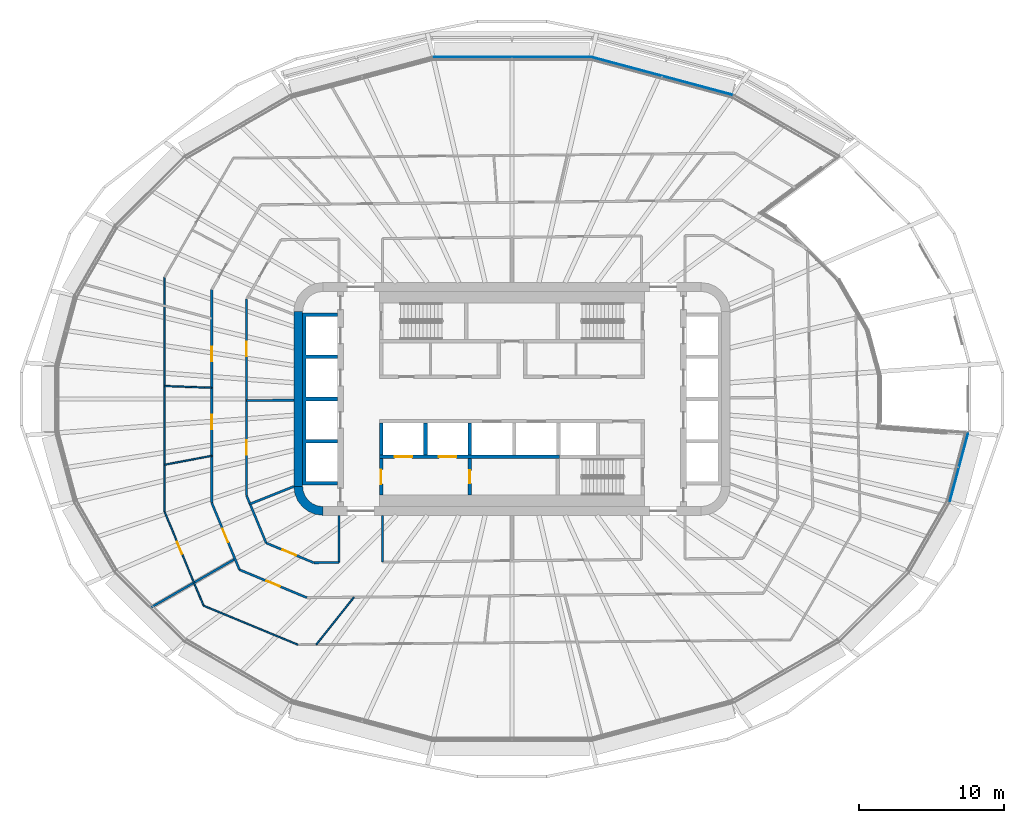
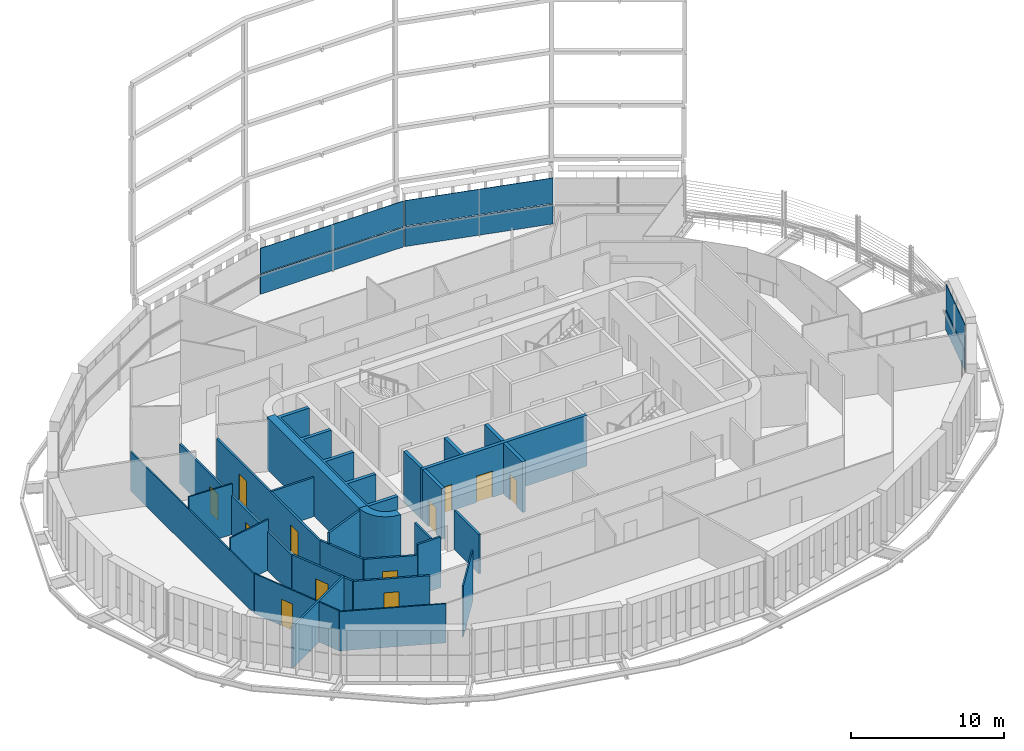
# One storey, part 14 of 28: 27 walls, 12 doors, 6 plates, 12 openings, 3 elements without a shape of their own.
"""IFC4 building model written with IfcOpenShell, lengths in metres."""

from ifc_helpers import new_model, si_unit, direction, frame, frame_2d, origin, place, context, subcontext, project, spatial, polyline, rectangle, outline, extrude, material, layer, layer_set, type_object, element, fill, aggregate, save


model = new_model("IFC4")

# Units and contexts
model_context = context("Model", 3, precision=1e-05, world=origin(), true_north=direction((0.0, 1.0)))
body_context = subcontext(model_context, "Body", "Model", "MODEL_VIEW")
ifc_project = project(units=[si_unit("LENGTHUNIT", "METRE"), si_unit("AREAUNIT", "SQUARE_METRE"), si_unit("VOLUMEUNIT", "CUBIC_METRE"), si_unit("PLANEANGLEUNIT", "RADIAN"), si_unit("MASSUNIT", "GRAM", prefix="KILO")], contexts=[model_context])

# Site, building, storey
site_placement = place(None, origin())
site = spatial("IfcSite", under=ifc_project, at=site_placement, CompositionType="ELEMENT")
building_placement = place(site_placement, origin())
building = spatial("IfcBuilding", under=site, at=building_placement, Name="Sahrelin Media Tower", CompositionType="ELEMENT")
storey_placement = place(building_placement, frame((0.0, 0.0, 75.60009765625)))
storey = spatial("IfcBuildingStorey", under=building, at=storey_placement, Name="L13", CompositionType="ELEMENT", Elevation=75.60009765625)

# Curtain wall, plate
ifc_material_1 = material(Name="Champagne anodised aluminium 6063-T6", Category="aluminium")
ifc_layer_1 = layer(ifc_material_1, 0.14990234375)
ifc_layer_set_1 = layer_set([ifc_layer_1], Name="Tower ribbon curtain wall")
curtain_wall_type = type_object("IfcCurtainWallType", Name="Tower ribbon curtain wall", PredefinedType="NOTDEFINED", material=ifc_layer_set_1)
curtain_wall_1_placement = place(storey_placement, frame((10.326416015625, 22.214111328125, 0.0), z_axis=(0.0, 0.0, 1.0), x_axis=(1.0, 0.0, 0.0)))
curtain_wall_1 = element("IfcCurtainWall", 1, at=curtain_wall_1_placement, inside=storey, type_object=curtain_wall_type, Name="L13:CW:L13-05", PredefinedType="NOTDEFINED")
ifc_material_2 = material(Name="Clear low-iron glazing", Category="glass")
ifc_layer_2 = layer(ifc_material_2, 0.0400390625)
ifc_layer_set_2 = layer_set([ifc_layer_2], Name="Glazing panel 40 mm CW1")
plate_type_1 = type_object("IfcPlateType", Name="Glazing panel 40 mm CW1", PredefinedType="CURTAIN_PANEL", material=ifc_layer_set_2)
plate_1_placement = place(storey_placement, frame((15.173583984375, 20.93603515625, 1.6298828125), z_axis=(0.258820481807, 0.965925441324, 0.0), x_axis=(-0.965925441324, 0.258820481807, 0.0)))
plate_1 = element("IfcPlate", 2, at=plate_1_placement, type_object=plate_type_1, Name="L13:CWP2:L13-05", PredefinedType="CURTAIN_PANEL", context=body_context, shape_type="SweptSolid", body=[
    extrude(outline(polyline([(0.0, 0.0), (10.025146484375, 0.0), (10.025146484375, 2.0185546875), (0.0, 2.0185546875), (0.0, 0.0)])), origin(), (0.0, 0.0, -1.0), 0.0400390625),
])

curtain_wall_2_placement = place(storey_placement, frame((0.0, 23.5244140625, 0.0), z_axis=(0.0, 0.0, 1.0), x_axis=(1.0, 0.0, 0.0)))
curtain_wall_2 = element("IfcCurtainWall", 3, at=curtain_wall_2_placement, inside=storey, type_object=curtain_wall_type, Name="L13:CW:L13-06", PredefinedType="NOTDEFINED")
plate_2_placement = place(storey_placement, frame((5.386474609375, 23.54443359375, 1.6298828125), z_axis=(0.0, 1.0, 0.0), x_axis=(-1.0, 0.0, 0.0)))
plate_2 = element("IfcPlate", 4, at=plate_2_placement, type_object=plate_type_1, Name="L13:CWP2:L13-06", PredefinedType="CURTAIN_PANEL", context=body_context, shape_type="SweptSolid", body=[
    extrude(outline(polyline([(0.0, 0.0), (10.77294921875, 0.0), (10.77294921875, 2.0185546875), (0.0, 2.0185546875), (0.0, 0.0)])), origin(), (0.0, 0.0, -1.0), 0.0400390625),
])

curtain_wall_3_placement = place(storey_placement, frame((30.737548828125, -4.7041015625, 0.0), z_axis=(0.0, 0.0, 1.0), x_axis=(1.0, 0.0, 0.0)))
curtain_wall_3 = element("IfcCurtainWall", 5, at=curtain_wall_3_placement, inside=storey, type_object=curtain_wall_type, Name="L13:CW:L13-23", PredefinedType="NOTDEFINED")
plate_3_placement = place(storey_placement, frame((30.136474609375, -7.02490234375, 1.6298828125), z_axis=(0.965925777667, -0.258819226562, 0.0), x_axis=(0.258819226562, 0.965925777667, 0.0)))
plate_3 = element("IfcPlate", 6, at=plate_3_placement, type_object=plate_type_1, Name="L13:CWP2:L13-23", PredefinedType="CURTAIN_PANEL", context=body_context, shape_type="SweptSolid", body=[
    extrude(outline(polyline([(0.0, 0.0), (4.794677734375, 0.0), (4.794677734375, 2.0185546875), (0.0, 2.0185546875), (0.0, 0.0)])), origin(), (0.0, 0.0, -1.0), 0.0400390625),
])

# Plate
ifc_material_3 = material(Name="Insulated spandrel panel")
ifc_layer_3 = layer(ifc_material_3, 0.06005859375)
ifc_layer_set_3 = layer_set([ifc_layer_3], Name="Spandrel panel 60 mm CW1")
plate_type_2 = type_object("IfcPlateType", Name="Spandrel panel 60 mm CW1", PredefinedType="SHEET", material=ifc_layer_set_3)
plate_4_placement = place(storey_placement, frame((15.173583984375, 20.93603515625, 0.0), z_axis=(0.258820481807, 0.965925441324, 0.0), x_axis=(-0.965925441324, 0.258820481807, 0.0)))
plate_4 = element("IfcPlate", 7, at=plate_4_placement, type_object=plate_type_2, Name="L13:CWP1:L13-05", PredefinedType="SHEET", context=body_context, shape_type="SweptSolid", body=[
    extrude(outline(polyline([(0.0, 0.0), (10.025146484375, 0.0), (10.025146484375, 1.56982421875), (0.0, 1.56982421875), (0.0, 0.0)])), origin(), (0.0, 0.0, -1.0), 0.06005859375),
])

aggregate(curtain_wall_1, [plate_4, plate_1])

plate_5_placement = place(storey_placement, frame((5.386474609375, 23.54443359375, 0.0), z_axis=(0.0, 1.0, 0.0), x_axis=(-1.0, 0.0, 0.0)))
plate_5 = element("IfcPlate", 8, at=plate_5_placement, type_object=plate_type_2, Name="L13:CWP1:L13-06", PredefinedType="SHEET", context=body_context, shape_type="SweptSolid", body=[
    extrude(outline(polyline([(0.0, 0.0), (10.77294921875, 0.0), (10.77294921875, 1.56982421875), (0.0, 1.56982421875), (0.0, 0.0)])), origin(), (0.0, 0.0, -1.0), 0.06005859375),
])

aggregate(curtain_wall_2, [plate_5, plate_2])

plate_6_placement = place(storey_placement, frame((30.136474609375, -7.02490234375, 0.0), z_axis=(0.965925777667, -0.258819226562, 0.0), x_axis=(0.258819226562, 0.965925777667, 0.0)))
plate_6 = element("IfcPlate", 9, at=plate_6_placement, type_object=plate_type_2, Name="L13:CWP1:L13-23", PredefinedType="SHEET", context=body_context, shape_type="SweptSolid", body=[
    extrude(outline(polyline([(0.0, 0.0), (4.794677734375, 0.0), (4.794677734375, 1.56982421875), (0.0, 1.56982421875), (0.0, 0.0)])), origin(), (0.0, 0.0, -1.0), 0.06005859375),
])

aggregate(curtain_wall_3, [plate_6, plate_3])

# Walls
ifc_material_4 = material(Name="Concrete C60/75", Category="concrete")
ifc_layer_4 = layer(ifc_material_4, 0.60009765625)
ifc_layer_set_4 = layer_set([ifc_layer_4], Name="Core wall 600")
wall_type_1 = type_object("IfcWallType", Name="Core wall 600", PredefinedType="SHEAR", material=ifc_layer_set_4)
wall_1_placement = place(storey_placement, frame((-14.699951171875, -6.0, 0.0), z_axis=(0.0, 0.0, 1.0), x_axis=(0.0, 1.0, 0.0)))
element("IfcWall", 10, at=wall_1_placement, inside=storey, type_object=wall_type_1, Name="Core wall W L13", PredefinedType="SHEAR", context=body_context, shape_type="SweptSolid", body=[
    extrude(rectangle(XDim=12.0, YDim=0.60009765625, at=frame_2d((6.0, 0.0))), origin(), (0.0, 0.0, 1.0), 4.199951171875),
])
placement = place(storey_placement, origin())
element("IfcWall", 11, at=placement, inside=storey, type_object=wall_type_1, Name="Core wall corner SW L13", PredefinedType="SHEAR", context=body_context, shape_type="SweptSolid", body=[
    extrude(outline(polyline([(-13.0, -8.0), (-13.0, -7.394775390625), (-13.361083984375, -7.347412109375), (-13.697509765625, -7.2080078125), (-13.986328125, -6.986328125), (-14.2080078125, -6.697509765625), (-14.347412109375, -6.361083984375), (-14.394775390625, -6.0), (-15.0, -6.0), (-14.931884765625, -6.517578125), (-14.732177734375, -7.0), (-14.414306640625, -7.414306640625), (-14.0, -7.732177734375), (-13.517578125, -7.931884765625), (-13.0, -8.0)])), origin(), (0.0, 0.0, 1.0), 4.199951171875),
])

# Wall, opening, door
ifc_material_5 = material(Name="Fire-rated gypsum board partition")
ifc_layer_5 = layer(ifc_material_5, 0.14990234375)
ifc_layer_set_5 = layer_set([ifc_layer_5], Name="Fire-rated partition 150")
wall_type_2 = type_object("IfcWallType", Name="Fire-rated partition 150", PredefinedType="PARTITIONING", material=ifc_layer_set_5)
wall_3_placement = place(storey_placement, frame((-20.64990234375, -7.1240234375, 0.0), z_axis=(0.0, 0.0, 1.0), x_axis=(0.382941772901, -0.923772482036, 0.0)))
wall_3 = element("IfcWall", 12, at=wall_3_placement, inside=storey, type_object=wall_type_2, Name="Wall", PredefinedType="PARTITIONING", context=body_context, shape_type="SweptSolid", body=[
    extrude(rectangle(XDim=4.994384765625, YDim=0.14990234375, at=frame_2d((2.4970703125, 0.0))), origin(), (0.0, 0.0, 1.0), 3.195068359375),
])
opening_1_placement = place(wall_3_placement, frame((1.950439453125, 0.0, 0.0)))
opening_1 = element("IfcOpeningElement", 13, at=opening_1_placement, cuts=wall_3, Name="Opening L13-D53", PredefinedType="OPENING", context=body_context, shape_type="SweptSolid", body=[
    extrude(rectangle(XDim=1.0, YDim=2.10009765625, at=frame_2d((0.5, 1.050048828125))), frame((0.0, 0.074951171875, 0.0), z_axis=(0.0, -1.0, 0.0), x_axis=(1.0, 0.0, 0.0)), (0.0, 0.0, 1.0), 0.14990234375),
])
ifc_material_6 = material(Name="Steel fire door leaf", Category="steel")
door_type_1 = type_object("IfcDoorType", Name="Fire door 1000 x 2100 EI 60", OperationType="NOTDEFINED", PredefinedType="DOOR", material=ifc_material_6)
door_1_placement = place(opening_1_placement, origin())
door_1 = element("IfcDoor", 14, at=door_1_placement, inside=storey, type_object=door_type_1, Name="Fire door", OperationType="SINGLE_SWING_RIGHT", OverallHeight=2.10009765625, OverallWidth=1.0, PredefinedType="DOOR", context=body_context, shape_type="SweptSolid", body=[
    extrude(rectangle(XDim=1.0, YDim=2.10009765625, at=frame_2d((0.5, 1.050048828125))), frame((0.0, 0.02490234375, 0.0), z_axis=(0.0, -1.0, 0.0), x_axis=(1.0, 0.0, 0.0)), (0.0, 0.0, 1.0), 0.050048828125),
])
fill(opening_1, door_1)

# Wall
wall_4_placement = place(storey_placement, frame((-18.25, -6.64697265625, 0.0), z_axis=(0.0, 0.0, 1.0), x_axis=(0.383000597973, -0.923748094424, 0.0)))
element("IfcWall", 15, at=wall_4_placement, inside=storey, type_object=wall_type_2, Name="Wall", PredefinedType="PARTITIONING", context=body_context, shape_type="SweptSolid", body=[
    extrude(rectangle(XDim=3.5224609375, YDim=0.14990234375, at=frame_2d((1.76123046875, 0.0))), origin(), (0.0, 0.0, 1.0), 3.195068359375),
])

# Wall, opening, door
wall_5_placement = place(storey_placement, frame((-18.738037109375, -11.738037109375, 0.0), z_axis=(0.0, 0.0, 1.0), x_axis=(0.923848598814, -0.38275810438, 0.0)))
wall_5 = element("IfcWall", 16, at=wall_5_placement, inside=storey, type_object=wall_type_2, Name="Wall", PredefinedType="PARTITIONING", context=body_context, shape_type="SweptSolid", body=[
    extrude(rectangle(XDim=5.023681640625, YDim=0.14990234375, at=frame_2d((2.51171875, 0.0))), origin(), (0.0, 0.0, 1.0), 3.195068359375),
])
opening_2_placement = place(wall_5_placement, frame((2.01171875, 0.0, 0.0)))
opening_2 = element("IfcOpeningElement", 17, at=opening_2_placement, cuts=wall_5, Name="Opening L13-D32", PredefinedType="OPENING", context=body_context, shape_type="SweptSolid", body=[
    extrude(rectangle(XDim=1.0, YDim=2.10009765625, at=frame_2d((0.5, 1.050048828125))), frame((0.0, 0.074951171875, 0.0), z_axis=(0.0, -1.0, 0.0), x_axis=(1.0, 0.0, 0.0)), (0.0, 0.0, 1.0), 0.14990234375),
])
door_2_placement = place(opening_2_placement, origin())
door_2 = element("IfcDoor", 18, at=door_2_placement, inside=storey, type_object=door_type_1, Name="Fire door", OperationType="SINGLE_SWING_RIGHT", OverallHeight=2.10009765625, OverallWidth=1.0, PredefinedType="DOOR", context=body_context, shape_type="SweptSolid", body=[
    extrude(rectangle(XDim=1.0, YDim=2.10009765625, at=frame_2d((0.5, 1.050048828125))), frame((0.0, 0.02490234375, 0.0), z_axis=(0.0, -1.0, 0.0), x_axis=(1.0, 0.0, 0.0)), (0.0, 0.0, 1.0), 0.050048828125),
])
fill(opening_2, door_2)

wall_6_placement = place(storey_placement, frame((-16.90087890625, -9.90087890625, 0.0), z_axis=(0.0, 0.0, 1.0), x_axis=(0.923795674736, -0.382885820239, 0.0)))
wall_6 = element("IfcWall", 19, at=wall_6_placement, inside=storey, type_object=wall_type_2, Name="Wall", PredefinedType="PARTITIONING", context=body_context, shape_type="SweptSolid", body=[
    extrude(rectangle(XDim=3.53955078125, YDim=0.14990234375, at=frame_2d((1.769775390625, 0.0))), origin(), (0.0, 0.0, 1.0), 3.195068359375),
])
opening_3_placement = place(wall_6_placement, frame((1.218505859375, 0.0, 0.0)))
opening_3 = element("IfcOpeningElement", 20, at=opening_3_placement, cuts=wall_6, Name="Opening L13-D31", PredefinedType="OPENING", context=body_context, shape_type="SweptSolid", body=[
    extrude(rectangle(XDim=1.0, YDim=2.10009765625, at=frame_2d((0.5, 1.050048828125))), frame((0.0, 0.074951171875, 0.0), z_axis=(0.0, -1.0, 0.0), x_axis=(1.0, 0.0, 0.0)), (0.0, 0.0, 1.0), 0.14990234375),
])
door_3_placement = place(opening_3_placement, origin())
door_3 = element("IfcDoor", 21, at=door_3_placement, inside=storey, type_object=door_type_1, Name="Fire door", OperationType="SINGLE_SWING_RIGHT", OverallHeight=2.10009765625, OverallWidth=1.0, PredefinedType="DOOR", context=body_context, shape_type="SweptSolid", body=[
    extrude(rectangle(XDim=1.0, YDim=2.10009765625, at=frame_2d((0.5, 1.050048828125))), frame((0.0, 0.02490234375, 0.0), z_axis=(0.0, -1.0, 0.0), x_axis=(1.0, 0.0, 0.0)), (0.0, 0.0, 1.0), 0.050048828125),
])
fill(opening_3, door_3)

# Walls
wall_7_placement = place(storey_placement, frame((-18.25, -0.10107421875, 0.0), z_axis=(0.0, 0.0, 1.0), x_axis=(0.999985777013, 0.005333457795, 0.0)))
element("IfcWall", 22, at=wall_7_placement, inside=storey, type_object=wall_type_2, Name="Wall", PredefinedType="PARTITIONING", context=body_context, shape_type="SweptSolid", body=[
    extrude(rectangle(XDim=3.25, YDim=0.14990234375, at=frame_2d((1.625, 0.0))), origin(), (0.0, 0.0, 1.0), 3.1181640625),
])
wall_8_placement = place(storey_placement, frame((-13.631103515625, -11.256103515625, 0.0), z_axis=(0.0, 0.0, 1.0), x_axis=(0.999949876767, 0.010012190276, 0.0)))
element("IfcWall", 23, at=wall_8_placement, inside=storey, type_object=wall_type_2, Name="Wall", PredefinedType="PARTITIONING", context=body_context, shape_type="SweptSolid", body=[
    extrude(rectangle(XDim=1.731201171875, YDim=0.14990234375, at=frame_2d((0.86572265625, 0.0))), origin(), (0.0, 0.0, 1.0), 4.0498046875),
])
wall_9_placement = place(storey_placement, frame((-18.012939453125, -7.218994140625, 0.0), z_axis=(0.0, 0.0, 1.0), x_axis=(0.928305468463, 0.371818446586, 0.0)))
element("IfcWall", 24, at=wall_9_placement, inside=storey, type_object=wall_type_2, Name="Wall", PredefinedType="PARTITIONING", context=body_context, shape_type="SweptSolid", body=[
    extrude(rectangle(XDim=3.2470703125, YDim=0.14990234375, at=frame_2d((1.62353515625, 0.0))), origin(), (0.0, 0.0, 1.0), 4.0498046875),
])
wall_10_placement = place(storey_placement, frame((-24.85888671875, -14.35205078125, 0.0), z_axis=(0.0, 0.0, 1.0), x_axis=(0.866036584562, 0.499980633826, 0.0)))
element("IfcWall", 25, at=wall_10_placement, inside=storey, type_object=wall_type_2, Name="Wall", PredefinedType="PARTITIONING", context=body_context, shape_type="SweptSolid", body=[
    extrude(rectangle(XDim=6.712158203125, YDim=0.14990234375, at=frame_2d((3.35595703125, 0.0))), origin(), (0.0, 0.0, 1.0), 3.27587890625),
])
wall_11_placement = place(storey_placement, frame((-8.89990234375, -11.208984375, 0.0), z_axis=(0.0, 0.0, 1.0), x_axis=(0.0, 1.0, 0.0)))
element("IfcWall", 26, at=wall_11_placement, inside=storey, type_object=wall_type_2, Name="Wall", PredefinedType="PARTITIONING", context=body_context, shape_type="SweptSolid", body=[
    extrude(rectangle(XDim=3.208984375, YDim=0.14990234375, at=frame_2d((1.6044921875, 0.0))), origin(), (0.0, 0.0, 1.0), 3.126953125),
])
wall_12_placement = place(storey_placement, frame((-11.89990234375, -11.239013671875, 0.0), z_axis=(0.0, 0.0, 1.0), x_axis=(0.0, 1.0, 0.0)))
element("IfcWall", 27, at=wall_12_placement, inside=storey, type_object=wall_type_2, Name="Wall", PredefinedType="PARTITIONING", context=body_context, shape_type="SweptSolid", body=[
    extrude(rectangle(XDim=3.239013671875, YDim=0.14990234375, at=frame_2d((1.61962890625, 0.0))), origin(), (0.0, 0.0, 1.0), 3.195068359375),
])

# Wall, openings, doors
wall_13_placement = place(storey_placement, frame((-18.25, -6.64697265625, 0.0), z_axis=(0.0, 0.0, 1.0), x_axis=(0.0, 1.0, 0.0)))
wall_13 = element("IfcWall", 28, at=wall_13_placement, inside=storey, type_object=wall_type_2, Name="Wall", PredefinedType="PARTITIONING", context=body_context, shape_type="SweptSolid", body=[
    extrude(rectangle(XDim=13.51806640625, YDim=0.14990234375, at=frame_2d((6.759033203125, 0.0))), origin(), (0.0, 0.0, 1.0), 3.1181640625),
])
opening_4_placement = place(wall_13_placement, frame((9.582763671875, 0.0, 0.0)))
opening_4 = element("IfcOpeningElement", 29, at=opening_4_placement, cuts=wall_13, Name="Opening L13-D29", PredefinedType="OPENING", context=body_context, shape_type="SweptSolid", body=[
    extrude(rectangle(XDim=1.0, YDim=2.10009765625, at=frame_2d((0.5, 1.050048828125))), frame((0.0, 0.074951171875, 0.0), z_axis=(0.0, -1.0, 0.0), x_axis=(1.0, 0.0, 0.0)), (0.0, 0.0, 1.0), 0.14990234375),
])
opening_5_placement = place(wall_13_placement, frame((2.823486328125, 0.0, 0.0)))
opening_5 = element("IfcOpeningElement", 30, at=opening_5_placement, cuts=wall_13, Name="Opening L13-D30", PredefinedType="OPENING", context=body_context, shape_type="SweptSolid", body=[
    extrude(rectangle(XDim=1.0, YDim=2.10009765625, at=frame_2d((0.5, 1.050048828125))), frame((0.0, 0.074951171875, 0.0), z_axis=(0.0, -1.0, 0.0), x_axis=(1.0, 0.0, 0.0)), (0.0, 0.0, 1.0), 0.14990234375),
])
door_4_placement = place(opening_4_placement, origin())
door_4 = element("IfcDoor", 31, at=door_4_placement, inside=storey, type_object=door_type_1, Name="Fire door", OperationType="SINGLE_SWING_RIGHT", OverallHeight=2.10009765625, OverallWidth=1.0, PredefinedType="DOOR", context=body_context, shape_type="SweptSolid", body=[
    extrude(rectangle(XDim=1.0, YDim=2.10009765625, at=frame_2d((0.5, 1.050048828125))), frame((0.0, 0.02490234375, 0.0), z_axis=(0.0, -1.0, 0.0), x_axis=(1.0, 0.0, 0.0)), (0.0, 0.0, 1.0), 0.050048828125),
])
fill(opening_4, door_4)
door_5_placement = place(opening_5_placement, origin())
door_5 = element("IfcDoor", 32, at=door_5_placement, inside=storey, type_object=door_type_1, Name="Fire door", OperationType="SINGLE_SWING_RIGHT", OverallHeight=2.10009765625, OverallWidth=1.0, PredefinedType="DOOR", context=body_context, shape_type="SweptSolid", body=[
    extrude(rectangle(XDim=1.0, YDim=2.10009765625, at=frame_2d((0.5, 1.050048828125))), frame((0.0, 0.02490234375, 0.0), z_axis=(0.0, -1.0, 0.0), x_axis=(1.0, 0.0, 0.0)), (0.0, 0.0, 1.0), 0.050048828125),
])
fill(opening_5, door_5)

wall_14_placement = place(storey_placement, frame((-20.64990234375, -7.1240234375, 0.0), z_axis=(0.0, 0.0, 1.0), x_axis=(0.0, 1.0, 0.0)))
wall_14 = element("IfcWall", 33, at=wall_14_placement, inside=storey, type_object=wall_type_2, Name="Wall", PredefinedType="PARTITIONING", context=body_context, shape_type="SweptSolid", body=[
    extrude(rectangle(XDim=14.637939453125, YDim=0.14990234375, at=frame_2d((7.31884765625, 0.0))), origin(), (0.0, 0.0, 1.0), 3.1181640625),
])
opening_6_placement = place(wall_14_placement, frame((9.725830078125, 0.0, 0.0)))
opening_6 = element("IfcOpeningElement", 34, at=opening_6_placement, cuts=wall_14, Name="Opening L13-D51", PredefinedType="OPENING", context=body_context, shape_type="SweptSolid", body=[
    extrude(rectangle(XDim=1.0, YDim=2.10009765625, at=frame_2d((0.5, 1.050048828125))), frame((0.0, 0.074951171875, 0.0), z_axis=(0.0, -1.0, 0.0), x_axis=(1.0, 0.0, 0.0)), (0.0, 0.0, 1.0), 0.14990234375),
])
opening_7_placement = place(wall_14_placement, frame((5.056884765625, 0.0, 0.0)))
opening_7 = element("IfcOpeningElement", 35, at=opening_7_placement, cuts=wall_14, Name="Opening L13-D52", PredefinedType="OPENING", context=body_context, shape_type="SweptSolid", body=[
    extrude(rectangle(XDim=1.0, YDim=2.10009765625, at=frame_2d((0.5, 1.050048828125))), frame((0.0, 0.074951171875, 0.0), z_axis=(0.0, -1.0, 0.0), x_axis=(1.0, 0.0, 0.0)), (0.0, 0.0, 1.0), 0.14990234375),
])
door_6_placement = place(opening_6_placement, origin())
door_6 = element("IfcDoor", 36, at=door_6_placement, inside=storey, type_object=door_type_1, Name="Fire door", OperationType="SINGLE_SWING_RIGHT", OverallHeight=2.10009765625, OverallWidth=1.0, PredefinedType="DOOR", context=body_context, shape_type="SweptSolid", body=[
    extrude(rectangle(XDim=1.0, YDim=2.10009765625, at=frame_2d((0.5, 1.050048828125))), frame((0.0, 0.02490234375, 0.0), z_axis=(0.0, -1.0, 0.0), x_axis=(1.0, 0.0, 0.0)), (0.0, 0.0, 1.0), 0.050048828125),
])
fill(opening_6, door_6)
door_7_placement = place(opening_7_placement, origin())
door_7 = element("IfcDoor", 37, at=door_7_placement, inside=storey, type_object=door_type_1, Name="Fire door", OperationType="SINGLE_SWING_LEFT", OverallHeight=2.10009765625, OverallWidth=1.0, PredefinedType="DOOR", context=body_context, shape_type="SweptSolid", body=[
    extrude(rectangle(XDim=1.0, YDim=2.10009765625, at=frame_2d((0.5, 1.050048828125))), frame((0.0, 0.02490234375, 0.0), z_axis=(0.0, -1.0, 0.0), x_axis=(1.0, 0.0, 0.0)), (0.0, 0.0, 1.0), 0.050048828125),
])
fill(opening_7, door_7)

# Wall, opening, door
ifc_layer_6 = layer(ifc_material_5, 0.25)
ifc_layer_set_6 = layer_set([ifc_layer_6], Name="Firefighting lobby wall 250")
wall_type_3 = type_object("IfcWallType", Name="Firefighting lobby wall 250", PredefinedType="PARTITIONING", material=ifc_layer_set_6)
wall_15_placement = place(storey_placement, frame((-9.0, -6.60009765625, 0.0), z_axis=(0.0, 0.0, 1.0), x_axis=(0.0, 1.0, 0.0)))
wall_15 = element("IfcWall", 38, at=wall_15_placement, inside=storey, type_object=wall_type_3, Name="Core wall", PredefinedType="PARTITIONING", context=body_context, shape_type="SweptSolid", body=[
    extrude(rectangle(XDim=2.5, YDim=0.25, at=frame_2d((1.25, 0.0))), origin(), (0.0, 0.0, 1.0), 4.0498046875),
])
opening_8_placement = place(wall_15_placement, frame((0.75, 0.0, 0.0)))
opening_8 = element("IfcOpeningElement", 39, at=opening_8_placement, cuts=wall_15, Name="Opening L13-D04", PredefinedType="OPENING", context=body_context, shape_type="SweptSolid", body=[
    extrude(rectangle(XDim=1.0, YDim=2.10009765625, at=frame_2d((0.5, 1.050048828125))), frame((0.0, 0.125, 0.0), z_axis=(0.0, -1.0, 0.0), x_axis=(1.0, 0.0, 0.0)), (0.0, 0.0, 1.0), 0.25),
])
door_type_2 = type_object("IfcDoorType", Name="Firefighting lobby door 1000 x 2100 EI 120", OperationType="NOTDEFINED", PredefinedType="DOOR", material=ifc_material_6)
door_8_placement = place(opening_8_placement, origin())
door_8 = element("IfcDoor", 40, at=door_8_placement, inside=storey, type_object=door_type_2, Name="Firefighting lobby door", OperationType="SINGLE_SWING_LEFT", OverallHeight=2.10009765625, OverallWidth=1.0, PredefinedType="DOOR", context=body_context, shape_type="SweptSolid", body=[
    extrude(rectangle(XDim=1.0, YDim=2.10009765625, at=frame_2d((0.5, 1.050048828125))), frame((0.0, 0.02490234375, 0.0), z_axis=(0.0, -1.0, 0.0), x_axis=(1.0, 0.0, 0.0)), (0.0, 0.0, 1.0), 0.050048828125),
])
fill(opening_8, door_8)

wall_16_placement = place(storey_placement, frame((-2.89990234375, -6.60009765625, 0.0), z_axis=(0.0, 0.0, 1.0), x_axis=(0.0, 1.0, 0.0)))
wall_16 = element("IfcWall", 41, at=wall_16_placement, inside=storey, type_object=wall_type_3, Name="Core wall", PredefinedType="PARTITIONING", context=body_context, shape_type="SweptSolid", body=[
    extrude(rectangle(XDim=2.5, YDim=0.25, at=frame_2d((1.25, 0.0))), origin(), (0.0, 0.0, 1.0), 4.0498046875),
])
opening_9_placement = place(wall_16_placement, frame((0.800048828125, 0.0, 0.0)))
opening_9 = element("IfcOpeningElement", 42, at=opening_9_placement, cuts=wall_16, Name="Opening L13-D05", PredefinedType="OPENING", context=body_context, shape_type="SweptSolid", body=[
    extrude(rectangle(XDim=0.89990234375, YDim=2.10009765625, at=frame_2d((0.449951171875, 1.050048828125))), frame((0.0, 0.125, 0.0), z_axis=(0.0, -1.0, 0.0), x_axis=(1.0, 0.0, 0.0)), (0.0, 0.0, 1.0), 0.25),
])
door_type_3 = type_object("IfcDoorType", Name="Firefighting lobby door 900 x 2100 EI 120", OperationType="NOTDEFINED", PredefinedType="DOOR", material=ifc_material_6)
door_9_placement = place(opening_9_placement, origin())
door_9 = element("IfcDoor", 43, at=door_9_placement, inside=storey, type_object=door_type_3, Name="Riser door", OperationType="SINGLE_SWING_RIGHT", OverallHeight=2.10009765625, OverallWidth=0.89990234375, PredefinedType="DOOR", context=body_context, shape_type="SweptSolid", body=[
    extrude(rectangle(XDim=0.89990234375, YDim=2.10009765625, at=frame_2d((0.449951171875, 1.050048828125))), frame((0.0, 0.02490234375, 0.0), z_axis=(0.0, -1.0, 0.0), x_axis=(1.0, 0.0, 0.0)), (0.0, 0.0, 1.0), 0.050048828125),
])
fill(opening_9, door_9)

# Wall, openings, doors
ifc_layer_7 = layer(ifc_material_4, 0.25)
ifc_layer_set_7 = layer_set([ifc_layer_7], Name="Lift shaft wall 250")
wall_type_4 = type_object("IfcWallType", Name="Lift shaft wall 250", PredefinedType="SOLIDWALL", material=ifc_layer_set_7)
wall_17_placement = place(storey_placement, frame((-9.125, -3.97509765625, 0.0), z_axis=(0.0, 0.0, 1.0), x_axis=(1.0, 0.0, 0.0)))
wall_17 = element("IfcWall", 44, at=wall_17_placement, inside=storey, type_object=wall_type_4, Name="Lift shaft wall", PredefinedType="SOLIDWALL", context=body_context, shape_type="SweptSolid", body=[
    extrude(rectangle(XDim=12.39990234375, YDim=0.25, at=frame_2d((6.199951171875, 0.0))), origin(), (0.0, 0.0, 1.0), 4.0498046875),
])
opening_10_placement = place(wall_17_placement, frame((1.050048828125, 0.0, 0.0)))
opening_10 = element("IfcOpeningElement", 45, at=opening_10_placement, cuts=wall_17, Name="Opening L13-LD-FF1", PredefinedType="OPENING", context=body_context, shape_type="SweptSolid", body=[
    extrude(rectangle(XDim=1.199951171875, YDim=2.10009765625, at=frame_2d((0.60009765625, 1.050048828125))), frame((0.0, 0.125, 0.0), z_axis=(0.0, -1.0, 0.0), x_axis=(1.0, 0.0, 0.0)), (0.0, 0.0, 1.0), 0.25),
])
opening_11_placement = place(wall_17_placement, frame((4.10009765625, 0.0, 0.0)))
opening_11 = element("IfcOpeningElement", 46, at=opening_11_placement, cuts=wall_17, Name="Opening L13-LD-FF2", PredefinedType="OPENING", context=body_context, shape_type="SweptSolid", body=[
    extrude(rectangle(XDim=1.199951171875, YDim=2.10009765625, at=frame_2d((0.60009765625, 1.050048828125))), frame((0.0, 0.125, 0.0), z_axis=(0.0, -1.0, 0.0), x_axis=(1.0, 0.0, 0.0)), (0.0, 0.0, 1.0), 0.25),
])
ifc_material_7 = material(Name="Stainless steel", Category="steel")
door_type_4 = type_object("IfcDoorType", Name="Lift landing door 1200 x 2100 EI 120", OperationType="DOUBLE_DOOR_SLIDING", PredefinedType="DOOR", material=ifc_material_7)
door_10_placement = place(opening_10_placement, origin())
door_10 = element("IfcDoor", 47, at=door_10_placement, inside=storey, type_object=door_type_4, Name="Lift landing door FF1", OperationType="DOUBLE_DOOR_SLIDING", OverallHeight=2.10009765625, OverallWidth=1.199951171875, PredefinedType="DOOR", context=body_context, shape_type="SweptSolid", body=[
    extrude(rectangle(XDim=1.199951171875, YDim=2.10009765625, at=frame_2d((0.60009765625, 1.050048828125))), frame((0.0, 0.02490234375, 0.0), z_axis=(0.0, -1.0, 0.0), x_axis=(1.0, 0.0, 0.0)), (0.0, 0.0, 1.0), 0.050048828125),
])
fill(opening_10, door_10)
door_11_placement = place(opening_11_placement, origin())
door_11 = element("IfcDoor", 48, at=door_11_placement, inside=storey, type_object=door_type_4, Name="Lift landing door FF2", OperationType="DOUBLE_DOOR_SLIDING", OverallHeight=2.10009765625, OverallWidth=1.199951171875, PredefinedType="DOOR", context=body_context, shape_type="SweptSolid", body=[
    extrude(rectangle(XDim=1.199951171875, YDim=2.10009765625, at=frame_2d((0.60009765625, 1.050048828125))), frame((0.0, 0.02490234375, 0.0), z_axis=(0.0, -1.0, 0.0), x_axis=(1.0, 0.0, 0.0)), (0.0, 0.0, 1.0), 0.050048828125),
])
fill(opening_11, door_11)

# Walls
for number, where, z_axis, x_axis, name in (
    (49, (-9.0, -3.85009765625, 0.0), (0.0, 0.0, 1.0), (0.0, 1.0, 0.0), "Lift shaft wall"),
    (50, (-5.949951171875, -3.85009765625, 0.0), (0.0, 0.0, 1.0), (0.0, 1.0, 0.0), "Lift shaft wall"),
    (51, (-2.89990234375, -3.85009765625, 0.0), (0.0, 0.0, 1.0), (0.0, 1.0, 0.0), "Lift shaft wall"),
):
    element("IfcWall", number, at=place(storey_placement, frame(where, z_axis=z_axis, x_axis=x_axis)), inside=storey, type_object=wall_type_4, Name=name, PredefinedType="SOLIDWALL", context=body_context, shape_type="SweptSolid", body=[
        extrude(rectangle(XDim=2.2001953125, YDim=0.25, at=frame_2d((1.10009765625, 0.0))), origin(), (0.0, 0.0, 1.0), 4.0498046875),
    ])
element("IfcWall", 52, at=placement, inside=storey, type_object=wall_type_4, Name="Lift shaft wall", PredefinedType="SOLIDWALL", context=body_context, shape_type="SweptSolid", body=[
    extrude(outline(polyline([(-12.0, -5.925048828125), (-12.0, -5.675048828125), (-14.14990234375, -5.675048828125), (-14.14990234375, -3.02490234375), (-12.0, -3.02490234375), (-12.0, -2.77490234375), (-14.14990234375, -2.77490234375), (-14.14990234375, -0.125), (-12.0, -0.125), (-12.0, 0.125), (-14.14990234375, 0.125), (-14.14990234375, 2.77490234375), (-12.0, 2.77490234375), (-12.0, 3.02490234375), (-14.14990234375, 3.02490234375), (-14.14990234375, 5.675048828125), (-12.0, 5.675048828125), (-12.0, 5.925048828125), (-14.14990234375, 5.925048828125), (-14.39990234375, 5.925048828125), (-14.39990234375, 5.675048828125), (-14.39990234375, 3.02490234375), (-14.39990234375, 2.77490234375), (-14.39990234375, 0.125), (-14.39990234375, -0.125), (-14.39990234375, -2.77490234375), (-14.39990234375, -3.02490234375), (-14.39990234375, -5.675048828125), (-14.39990234375, -5.925048828125), (-14.14990234375, -5.925048828125), (-12.0, -5.925048828125)])), origin(), (0.0, 0.0, 1.0), 4.0498046875),
])

# Wall, opening, door
ifc_material_8 = material(Name="Gypsum board partition")
ifc_layer_8 = layer(ifc_material_8, 0.10009765625)
ifc_layer_set_8 = layer_set([ifc_layer_8], Name="Partition 100")
wall_type_5 = type_object("IfcWallType", Name="Partition 100", PredefinedType="PARTITIONING", material=ifc_layer_set_8)
wall_19_placement = place(storey_placement, frame((-23.8798828125, -7.76708984375, 0.0), z_axis=(0.0, 0.0, 1.0), x_axis=(0.382859836194, -0.923806443921, 0.0)))
wall_19 = element("IfcWall", 53, at=wall_19_placement, inside=storey, type_object=wall_type_5, Name="Wall", PredefinedType="PARTITIONING", context=body_context, shape_type="SweptSolid", body=[
    extrude(rectangle(XDim=6.974365234375, YDim=0.10009765625, at=frame_2d((3.4873046875, 0.0))), origin(), (0.0, 0.0, 1.0), 3.195068359375),
])
opening_12_placement = place(wall_19_placement, frame((2.231689453125, 0.0, 0.0)))
opening_12 = element("IfcOpeningElement", 54, at=opening_12_placement, cuts=wall_19, Name="Opening L13-D54", PredefinedType="OPENING", context=body_context, shape_type="SweptSolid", body=[
    extrude(rectangle(XDim=0.89990234375, YDim=2.10009765625, at=frame_2d((0.449951171875, 1.050048828125))), frame((0.0, 0.050048828125, 0.0), z_axis=(0.0, -1.0, 0.0), x_axis=(1.0, 0.0, 0.0)), (0.0, 0.0, 1.0), 0.10009765625),
])
ifc_material_9 = material(Name="Timber door leaf", Category="wood")
door_type_5 = type_object("IfcDoorType", Name="Single door 900 x 2100", OperationType="NOTDEFINED", PredefinedType="DOOR", material=ifc_material_9)
door_12_placement = place(opening_12_placement, origin())
door_12 = element("IfcDoor", 55, at=door_12_placement, inside=storey, type_object=door_type_5, Name="Single door", OperationType="SINGLE_SWING_LEFT", OverallHeight=2.10009765625, OverallWidth=0.89990234375, PredefinedType="DOOR", context=body_context, shape_type="SweptSolid", body=[
    extrude(rectangle(XDim=0.89990234375, YDim=2.10009765625, at=frame_2d((0.449951171875, 1.050048828125))), frame((0.0, 0.02490234375, 0.0), z_axis=(0.0, -1.0, 0.0), x_axis=(1.0, 0.0, 0.0)), (0.0, 0.0, 1.0), 0.050048828125),
])
fill(opening_12, door_12)

# Walls
wall_20_placement = place(storey_placement, frame((-21.2099609375, -14.2099609375, 0.0), z_axis=(0.0, 0.0, 1.0), x_axis=(0.923854909606, -0.382742871909, 0.0)))
element("IfcWall", 56, at=wall_20_placement, inside=storey, type_object=wall_type_5, Name="Wall", PredefinedType="PARTITIONING", context=body_context, shape_type="SweptSolid", body=[
    extrude(rectangle(XDim=7.0205078125, YDim=0.10009765625, at=frame_2d((3.51025390625, 0.0))), origin(), (0.0, 0.0, 1.0), 3.126953125),
])
wall_21_placement = place(storey_placement, frame((-23.8798828125, 0.89404296875, 0.0), z_axis=(0.0, 0.0, 1.0), x_axis=(0.999297969227, -0.037464232255, 0.0)))
element("IfcWall", 57, at=wall_21_placement, inside=storey, type_object=wall_type_5, Name="Wall", PredefinedType="PARTITIONING", context=body_context, shape_type="SweptSolid", body=[
    extrude(rectangle(XDim=3.232177734375, YDim=0.10009765625, at=frame_2d((1.6162109375, 0.0))), origin(), (0.0, 0.0, 1.0), 4.0498046875),
])
wall_22_placement = place(storey_placement, frame((-23.8798828125, -4.51806640625, 0.0), z_axis=(0.0, 0.0, 1.0), x_axis=(0.982569879067, 0.185893605994, 0.0)))
element("IfcWall", 58, at=wall_22_placement, inside=storey, type_object=wall_type_5, Name="Wall", PredefinedType="PARTITIONING", context=body_context, shape_type="SweptSolid", body=[
    extrude(rectangle(XDim=3.287353515625, YDim=0.10009765625, at=frame_2d((1.6435546875, 0.0))), origin(), (0.0, 0.0, 1.0), 4.0498046875),
])
wall_23_placement = place(storey_placement, frame((-13.465087890625, -16.885009765625, 0.0), z_axis=(0.0, 0.0, 1.0), x_axis=(0.62342161962, 0.781885851126, 0.0)))
element("IfcWall", 59, at=wall_23_placement, inside=storey, type_object=wall_type_5, Name="Wall", PredefinedType="PARTITIONING", context=body_context, shape_type="SweptSolid", body=[
    extrude(rectangle(XDim=4.164306640625, YDim=0.10009765625, at=frame_2d((2.08203125, 0.0))), origin(), (0.0, 0.0, 1.0), 4.0498046875),
])
wall_24_placement = place(storey_placement, frame((-23.8798828125, -7.76708984375, 0.0), z_axis=(0.0, 0.0, 1.0), x_axis=(0.0, 1.0, 0.0)))
element("IfcWall", 60, at=wall_24_placement, inside=storey, type_object=wall_type_5, Name="Wall", PredefinedType="PARTITIONING", context=body_context, shape_type="SweptSolid", body=[
    extrude(rectangle(XDim=16.14599609375, YDim=0.10009765625, at=frame_2d((8.072998046875, 0.0))), origin(), (0.0, 0.0, 1.0), 3.1181640625),
])

save(model, "model.ifc")
